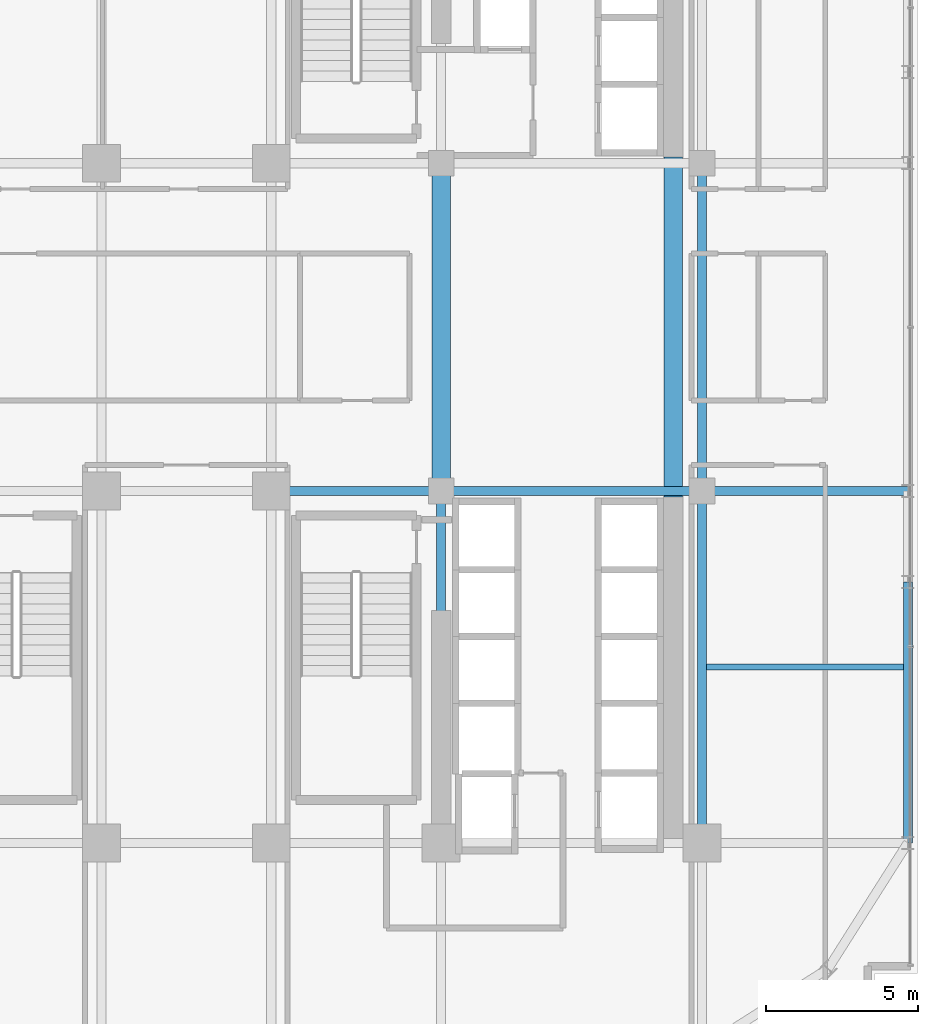
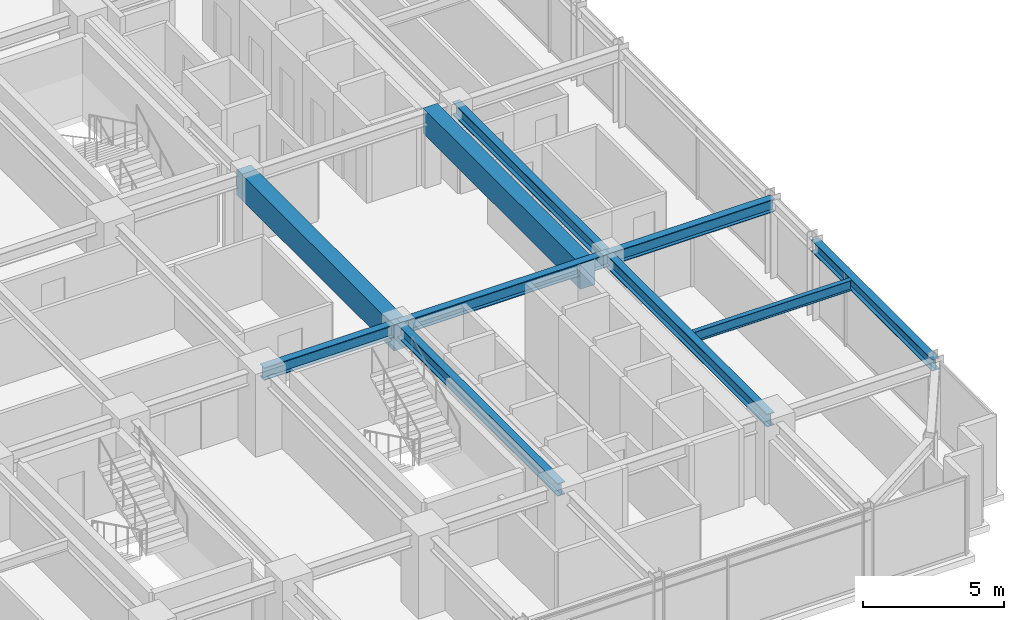
# One storey, part 14 of 32: 10 beams.
"""IFC4 building model written with IfcOpenShell, lengths in metres."""

from ifc_helpers import new_model, si_unit, direction, frame, origin, origin_2d, place, context, subcontext, project, spatial, rectangle, i_section, extrude, source, transform, mapped, material, material_profile, profile_set, type_object, element, save


model = new_model("IFC4")

# Units and contexts
model_context = context("Model", 3, precision=1e-05, world=origin(), true_north=direction((0.0, 1.0)))
body_context = subcontext(model_context, "Body", "Model", "MODEL_VIEW")
ifc_project = project(units=[si_unit("LENGTHUNIT", "METRE"), si_unit("AREAUNIT", "SQUARE_METRE"), si_unit("VOLUMEUNIT", "CUBIC_METRE"), si_unit("PLANEANGLEUNIT", "RADIAN"), si_unit("MASSUNIT", "GRAM", prefix="KILO")], contexts=[model_context])

# Site, building, storey
site_placement = place(None, origin())
site = spatial("IfcSite", under=ifc_project, at=site_placement, CompositionType="ELEMENT")
building_placement = place(site_placement, origin())
building = spatial("IfcBuilding", under=site, at=building_placement, Name="Nahalor Promenade Grand Hotel", CompositionType="ELEMENT")
storey_placement = place(building_placement, frame((0.0, 0.0, 124.800048828125)))
storey = spatial("IfcBuildingStorey", under=building, at=storey_placement, Name="L31", CompositionType="ELEMENT", Elevation=124.800048828125)

# Beams
ifc_material_1 = material(Name="Concrete B-60 (C50/60)", Category="concrete")
ifc_material_profile_1 = material_profile(ifc_material_1, rectangle(XDim=0.6, YDim=1.1, at=origin_2d()), Name="RC 600x1100")
ifc_profile_set_1 = profile_set([ifc_material_profile_1], Name="Concrete B-60 (C50/60)")
beam_type_1 = type_object("IfcBeamType", Name="Beam-Lintel-RC1100", PredefinedType="LINTEL", material=ifc_profile_set_1)
shared_shape_1 = source(origin(), body_context, "Body", "SweptSolid", [
    extrude(rectangle(XDim=0.6, YDim=1.1, at=origin_2d()), origin(), (0.0, 0.0, 1.0), 11.2001953125),
])
for number, where, z_axis, x_axis, name in (
    (1, (8.39990234375, -5.60009765625, 2.829833984375), (0.0, 1.0, 0.0), (-1.0, 0.0, 0.0), "BM-L31-LINT-W"),
    (2, (16.050048828125, -5.60009765625, 2.829833984375), (0.0, 1.0, 0.0), (-1.0, 0.0, 0.0), "BM-L31-LINT-E"),
):
    element("IfcBeam", number, at=place(storey_placement, frame(where, z_axis=z_axis, x_axis=x_axis)), inside=storey, type_object=beam_type_1, Name=name, PredefinedType="LINTEL", context=body_context, shape_type="MappedRepresentation", body=[
        mapped(shared_shape_1, transform((0.0, 0.0, 0.0), scale=1.0)),
    ])
ifc_material_2 = material(Name="Steel S355JR", Category="steel")
ifc_material_profile_2 = material_profile(ifc_material_2, i_section(OverallWidth=0.3, OverallDepth=0.5, WebThickness=0.0145, FlangeThickness=0.028, at=origin_2d()), Name="HEB 500")
ifc_profile_set_2 = profile_set([ifc_material_profile_2], Name="Steel S355JR")
beam_type_2 = type_object("IfcBeamType", Name="Beam-Spandrel-HEB500", PredefinedType="SPANDREL", material=ifc_profile_set_2)
shared_shape_2 = source(origin(), body_context, "Body", "SweptSolid", [
    extrude(i_section(OverallWidth=0.3, OverallDepth=0.5, WebThickness=0.0145, FlangeThickness=0.028, at=origin_2d()), origin(), (0.0, 0.0, 1.0), 8.60009765625),
])
beam_1_placement = place(storey_placement, frame((23.780029296875, -17.0, 3.1298828125), z_axis=(0.0, 1.0, 0.0), x_axis=(-1.0, 0.0, 0.0)))
element("IfcBeam", 3, at=beam_1_placement, inside=storey, type_object=beam_type_2, Name="BM-L31-SP-E-0", PredefinedType="SPANDREL", context=body_context, shape_type="MappedRepresentation", body=[
    mapped(shared_shape_2, transform((0.0, 0.0, 0.0), scale=1.0)),
])
ifc_material_profile_3 = material_profile(ifc_material_2, i_section(OverallWidth=0.3, OverallDepth=0.55, WebThickness=0.015, FlangeThickness=0.029, at=origin_2d()), Name="HEB 550")
ifc_profile_set_3 = profile_set([ifc_material_profile_3], Name="Steel S355JR")
beam_type_3 = type_object("IfcBeamType", Name="Beam-Girder-HEB550", PredefinedType="BEAM", material=ifc_profile_set_3)
shared_shape_3 = source(origin(), body_context, "Body", "SweptSolid", [
    extrude(i_section(OverallWidth=0.3, OverallDepth=0.55, WebThickness=0.015, FlangeThickness=0.029, at=origin_2d()), origin(), (0.0, 0.0, 1.0), 6.780029296875),
])
beam_2_placement = place(storey_placement, frame((17.0, -5.39990234375, 3.10498046875), z_axis=(1.0, 0.0, 0.0), x_axis=(0.0, 1.0, 0.0)))
element("IfcBeam", 4, at=beam_2_placement, inside=storey, type_object=beam_type_3, Name="BM-L31-GX-1-6", PredefinedType="BEAM", context=body_context, shape_type="MappedRepresentation", body=[
    mapped(shared_shape_3, transform((0.0, 0.0, 0.0), scale=1.0)),
])
shared_shape_4 = source(origin(), body_context, "Body", "SweptSolid", [
    extrude(i_section(OverallWidth=0.3, OverallDepth=0.55, WebThickness=0.015, FlangeThickness=0.029, at=origin_2d()), origin(), (0.0, 0.0, 1.0), 8.60009765625),
])
beam_3_placement = place(storey_placement, frame((8.39990234375, -5.39990234375, 3.10498046875), z_axis=(1.0, 0.0, 0.0), x_axis=(0.0, 1.0, 0.0)))
element("IfcBeam", 5, at=beam_3_placement, inside=storey, type_object=beam_type_3, Name="BM-L31-GX-1-5", PredefinedType="BEAM", context=body_context, shape_type="MappedRepresentation", body=[
    mapped(shared_shape_4, transform((0.0, 0.0, 0.0), scale=1.0)),
])
shared_shape_5 = source(origin(), body_context, "Body", "SweptSolid", [
    extrude(i_section(OverallWidth=0.3, OverallDepth=0.55, WebThickness=0.015, FlangeThickness=0.029, at=origin_2d()), origin(), (0.0, 0.0, 1.0), 5.599853515625),
])
beam_4_placement = place(storey_placement, frame((2.800048828125, -5.39990234375, 3.10498046875), z_axis=(1.0, 0.0, 0.0), x_axis=(0.0, 1.0, 0.0)))
element("IfcBeam", 6, at=beam_4_placement, inside=storey, type_object=beam_type_3, Name="BM-L31-GX-1-4", PredefinedType="BEAM", context=body_context, shape_type="MappedRepresentation", body=[
    mapped(shared_shape_5, transform((0.0, 0.0, 0.0), scale=1.0)),
])
shared_shape_6 = source(origin(), body_context, "Body", "SweptSolid", [
    extrude(i_section(OverallWidth=0.3, OverallDepth=0.55, WebThickness=0.015, FlangeThickness=0.029, at=origin_2d()), origin(), (0.0, 0.0, 1.0), 11.60009765625),
])
for number, where, z_axis, x_axis, name in (
    (7, (8.39990234375, -17.0, 3.10498046875), (0.0, 1.0, 0.0), (-1.0, 0.0, 0.0), "BM-L31-GY-4-1"),
    (8, (17.0, -17.0, 3.10498046875), (0.0, 1.0, 0.0), (-1.0, 0.0, 0.0), "BM-L31-GY-5-1"),
):
    element("IfcBeam", number, at=place(storey_placement, frame(where, z_axis=z_axis, x_axis=x_axis)), inside=storey, type_object=beam_type_3, Name=name, PredefinedType="BEAM", context=body_context, shape_type="MappedRepresentation", body=[
        mapped(shared_shape_6, transform((0.0, 0.0, 0.0), scale=1.0)),
    ])
shared_shape_7 = source(origin(), body_context, "Body", "SweptSolid", [
    extrude(i_section(OverallWidth=0.3, OverallDepth=0.55, WebThickness=0.015, FlangeThickness=0.029, at=origin_2d()), origin(), (0.0, 0.0, 1.0), 10.7998046875),
])
beam_5_placement = place(storey_placement, frame((17.0, -5.39990234375, 3.10498046875), z_axis=(0.0, 1.0, 0.0), x_axis=(-1.0, 0.0, 0.0)))
element("IfcBeam", 9, at=beam_5_placement, inside=storey, type_object=beam_type_3, Name="BM-L31-GY-5-2", PredefinedType="BEAM", context=body_context, shape_type="MappedRepresentation", body=[
    mapped(shared_shape_7, transform((0.0, 0.0, 0.0), scale=1.0)),
])
ifc_material_profile_4 = material_profile(ifc_material_2, i_section(OverallWidth=0.19, OverallDepth=0.45, WebThickness=0.0094, FlangeThickness=0.0146, at=origin_2d()), Name="IPE 450")
ifc_profile_set_4 = profile_set([ifc_material_profile_4], Name="Steel S355JR")
beam_type_4 = type_object("IfcBeamType", Name="Beam-Joist-IPE450", PredefinedType="JOIST", material=ifc_profile_set_4)
shared_shape_8 = source(origin(), body_context, "Body", "SweptSolid", [
    extrude(i_section(OverallWidth=0.19, OverallDepth=0.45, WebThickness=0.0094, FlangeThickness=0.0146, at=origin_2d()), origin(), (0.0, 0.0, 1.0), 6.47998046875),
])
beam_6_placement = place(storey_placement, frame((17.14990234375, -11.199951171875, 3.155029296875), z_axis=(1.0, 0.0, 0.0), x_axis=(0.0, 1.0, 0.0)))
element("IfcBeam", 10, at=beam_6_placement, inside=storey, type_object=beam_type_4, Name="BM-L31-JSE-0-2", PredefinedType="JOIST", context=body_context, shape_type="MappedRepresentation", body=[
    mapped(shared_shape_8, transform((0.0, 0.0, 0.0), scale=1.0)),
])

save(model, "model.ifc")
